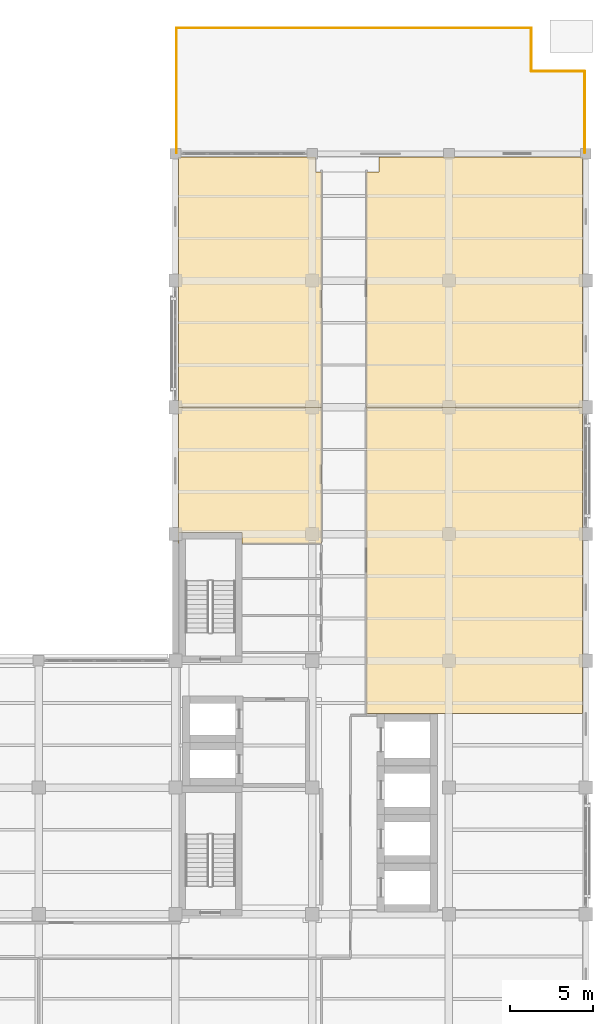
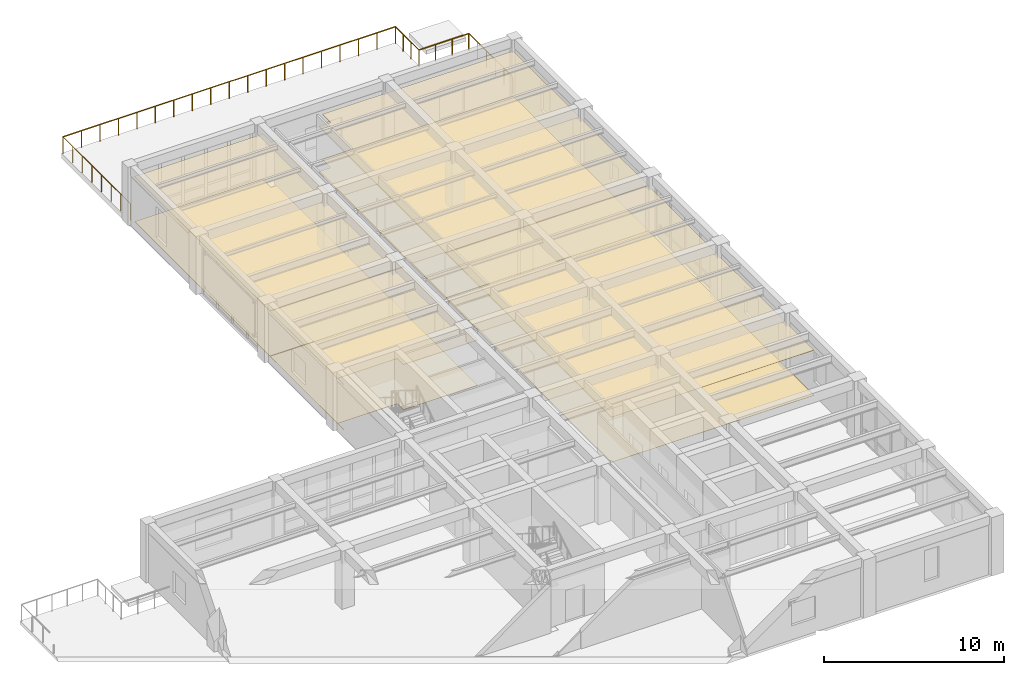
# One storey, part 14 of 14: 8 coverings, 5 railings.
"""IFC4 building model written with IfcOpenShell, lengths in metres."""

from ifc_helpers import new_model, si_unit, direction, frame, origin, origin_2d, place, context, subcontext, project, spatial, polyline, circle, outline, extrude, material, layer, layer_set, type_object, element, save


model = new_model("IFC4")

# Units and contexts
model_context = context("Model", 3, precision=1e-05, world=origin(), true_north=direction((0.0, 1.0)))
body_context = subcontext(model_context, "Body", "Model", "MODEL_VIEW")
ifc_project = project(units=[si_unit("LENGTHUNIT", "METRE"), si_unit("AREAUNIT", "SQUARE_METRE"), si_unit("VOLUMEUNIT", "CUBIC_METRE"), si_unit("PLANEANGLEUNIT", "RADIAN"), si_unit("MASSUNIT", "GRAM", prefix="KILO")], contexts=[model_context])

# Site, building, storey
site_placement = place(None, origin())
site = spatial("IfcSite", under=ifc_project, at=site_placement, CompositionType="ELEMENT")
building_placement = place(site_placement, origin())
building = spatial("IfcBuilding", under=site, at=building_placement, Name="Qandaris Square Conservatory and Botanical Centre", CompositionType="ELEMENT")
storey_placement = place(building_placement, frame((0.0, 0.0, 36.60009765625)))
storey = spatial("IfcBuildingStorey", under=building, at=storey_placement, Name="L08", CompositionType="ELEMENT", Elevation=36.60009765625)

# Coverings
ifc_material_1 = material(Name="Honed Qatari Limestone", Category="masonry")
ifc_layer_1 = layer(ifc_material_1, 0.030029296875)
ifc_layer_set_1 = layer_set([ifc_layer_1], Name="Honed Qatari Limestone")
covering_type_1 = type_object("IfcCoveringType", Name="Honed Qatari Limestone Concourse Paving", PredefinedType="FLOORING", material=ifc_layer_set_1)
covering_1_placement = place(storey_placement, origin())
element("IfcCovering", 1, at=covering_1_placement, inside=storey, type_object=covering_type_1, Name="Rhizosphere Biology Collaborative Seminar Room Flooring", PredefinedType="FLOORING", context=body_context, shape_type="SweptSolid", body=[
    extrude(outline(polyline([(147.949951171875, 54.60009765625), (139.3798828125, 54.60009765625), (139.3798828125, 69.6201171875), (147.60009765625, 69.6201171875), (147.60009765625, 68.699951171875), (147.949951171875, 68.699951171875), (147.949951171875, 54.60009765625)])), origin(), (0.0, 0.0, 1.0), 0.02978515625),
])
covering_2_placement = place(storey_placement, origin())
element("IfcCovering", 2, at=covering_2_placement, inside=storey, type_object=covering_type_1, Name="Floor L08 Staff Write-Up Lounge Flooring", PredefinedType="FLOORING", context=body_context, shape_type="SweptSolid", body=[
    extrude(outline(polyline([(150.64990234375, 54.60009765625), (150.64990234375, 68.699951171875), (151.39990234375, 68.699951171875), (151.39990234375, 69.6201171875), (163.6201171875, 69.6201171875), (163.6201171875, 54.60009765625), (150.64990234375, 54.60009765625)])), origin(), (0.0, 0.0, 1.0), 0.02978515625),
])
ifc_material_2 = material(Name="Gypsum Plasterboard", Category="gypsum")
ifc_layer_2 = layer(ifc_material_2, 0.02490234375)
ifc_layer_set_2 = layer_set([ifc_layer_2], Name="Gypsum Plasterboard")
covering_type_2 = type_object("IfcCoveringType", Name="Perforated Acoustic Lab Ceiling Tile", PredefinedType="CEILING", material=ifc_layer_set_2)
covering_3_placement = place(storey_placement, frame((0.0, 0.0, 3.0498046875)))
element("IfcCovering", 3, at=covering_3_placement, inside=storey, type_object=covering_type_2, Name="Drought Proteomics Analytical Laboratory Ceiling", PredefinedType="CEILING", context=body_context, shape_type="SweptSolid", body=[
    extrude(outline(polyline([(150.64990234375, 54.60009765625), (163.6201171875, 54.60009765625), (163.6201171875, 36.25), (150.64990234375, 36.25), (150.64990234375, 54.60009765625)])), origin(), (0.0, 0.0, 1.0), 0.025146484375),
])
covering_4_placement = place(storey_placement, frame((0.0, 0.0, 3.0498046875)))
element("IfcCovering", 4, at=covering_4_placement, inside=storey, type_object=covering_type_2, Name="Date Palm Genomics Specimen Prep Room Ceiling", PredefinedType="CEILING", context=body_context, shape_type="SweptSolid", body=[
    extrude(outline(polyline([(147.949951171875, 46.419921875), (143.199951171875, 46.419921875), (143.199951171875, 47.10009765625), (139.39990234375, 47.10009765625), (139.39990234375, 46.419921875), (139.3798828125, 46.419921875), (139.3798828125, 54.60009765625), (147.949951171875, 54.60009765625), (147.949951171875, 46.419921875)])), origin(), (0.0, 0.0, 1.0), 0.025146484375),
])
ifc_material_3 = material(Name="Epoxy Resin Screed", Category="finish")
ifc_layer_3 = layer(ifc_material_3, 0.014892578125)
ifc_layer_set_3 = layer_set([ifc_layer_3], Name="Epoxy Resin Screed")
covering_type_3 = type_object("IfcCoveringType", Name="Seamless Epoxy Laboratory Flooring", PredefinedType="FLOORING", material=ifc_layer_set_3)
covering_5_placement = place(storey_placement, origin())
element("IfcCovering", 5, at=covering_5_placement, inside=storey, type_object=covering_type_3, Name="Drought Proteomics Analytical Laboratory Flooring", PredefinedType="FLOORING", context=body_context, shape_type="SweptSolid", body=[
    extrude(outline(polyline([(150.64990234375, 54.60009765625), (163.6201171875, 54.60009765625), (163.6201171875, 36.25), (150.64990234375, 36.25), (150.64990234375, 54.60009765625)])), origin(), (0.0, 0.0, 1.0), 0.014892578125),
])
covering_6_placement = place(storey_placement, origin())
element("IfcCovering", 6, at=covering_6_placement, inside=storey, type_object=covering_type_3, Name="Date Palm Genomics Specimen Prep Room Flooring", PredefinedType="FLOORING", context=body_context, shape_type="SweptSolid", body=[
    extrude(outline(polyline([(147.949951171875, 46.419921875), (143.199951171875, 46.419921875), (143.199951171875, 47.10009765625), (139.39990234375, 47.10009765625), (139.39990234375, 46.419921875), (139.3798828125, 46.419921875), (139.3798828125, 54.60009765625), (147.949951171875, 54.60009765625), (147.949951171875, 46.419921875)])), origin(), (0.0, 0.0, 1.0), 0.014892578125),
])
ifc_material_4 = material(Name="Engineered Oak Timber", Category="wood")
ifc_layer_4 = layer(ifc_material_4, 0.0400390625)
ifc_layer_set_4 = layer_set([ifc_layer_4], Name="Engineered Oak Timber")
covering_type_4 = type_object("IfcCoveringType", Name="Slatted Oak Acoustic Gallery Ceiling", PredefinedType="CEILING", material=ifc_layer_set_4)
covering_7_placement = place(storey_placement, frame((0.0, 0.0, 3.0498046875)))
element("IfcCovering", 7, at=covering_7_placement, inside=storey, type_object=covering_type_4, Name="Rhizosphere Biology Collaborative Seminar Room Ceiling", PredefinedType="CEILING", context=body_context, shape_type="SweptSolid", body=[
    extrude(outline(polyline([(147.949951171875, 54.60009765625), (139.3798828125, 54.60009765625), (139.3798828125, 69.6201171875), (147.60009765625, 69.6201171875), (147.60009765625, 68.699951171875), (147.949951171875, 68.699951171875), (147.949951171875, 54.60009765625)])), origin(), (0.0, 0.0, 1.0), 0.0400390625),
])
covering_8_placement = place(storey_placement, frame((0.0, 0.0, 3.0498046875)))
element("IfcCovering", 8, at=covering_8_placement, inside=storey, type_object=covering_type_4, Name="Floor L08 Staff Write-Up Lounge Ceiling", PredefinedType="CEILING", context=body_context, shape_type="SweptSolid", body=[
    extrude(outline(polyline([(150.64990234375, 54.60009765625), (150.64990234375, 68.699951171875), (151.39990234375, 68.699951171875), (151.39990234375, 69.6201171875), (163.6201171875, 69.6201171875), (163.6201171875, 54.60009765625), (150.64990234375, 54.60009765625)])), origin(), (0.0, 0.0, 1.0), 0.0400390625),
])

# Railings
ifc_material_5 = material(Name="Weathering Bronze Alloy", Category="metal")
railing_type = type_object("IfcRailingType", Name="Terrace Perimeter Prairie Guardrail 1150mm", PredefinedType="GUARDRAIL", material=ifc_material_5)
railing_1_placement = place(storey_placement, frame((139.260009765625, 69.860107421875, 0.0)))
element("IfcRailing", 9, at=railing_1_placement, inside=storey, type_object=railing_type, Name="Arid Flora Setback Terrace L08 Guardrail 2", PredefinedType="GUARDRAIL", context=body_context, shape_type="SweptSolid", body=[
    extrude(circle(Radius=0.02392578125, at=origin_2d()), frame((0.0, 0.0, 1.1259765625), z_axis=(0.0, 1.0, 0.0), x_axis=(-1.0, 0.0, 0.0)), (0.0, 0.0, 1.0), 7.47998046875),
    extrude(circle(Radius=0.02099609375, at=origin_2d()), origin(), (0.0, 0.0, 1.0), 1.101806640625),
    extrude(circle(Radius=0.02099609375, at=origin_2d()), frame((0.0, 1.068603515625, 0.0)), (0.0, 0.0, 1.0), 1.101806640625),
    extrude(circle(Radius=0.02099609375, at=origin_2d()), frame((0.0, 2.13720703125, 0.0)), (0.0, 0.0, 1.0), 1.101806640625),
    extrude(circle(Radius=0.02099609375, at=origin_2d()), frame((0.0, 3.205810546875, 0.0)), (0.0, 0.0, 1.0), 1.101806640625),
    extrude(circle(Radius=0.02099609375, at=origin_2d()), frame((0.0, 4.274169921875, 0.0)), (0.0, 0.0, 1.0), 1.101806640625),
    extrude(circle(Radius=0.02099609375, at=origin_2d()), frame((0.0, 5.3427734375, 0.0)), (0.0, 0.0, 1.0), 1.101806640625),
    extrude(circle(Radius=0.02099609375, at=origin_2d()), frame((0.0, 6.411376953125, 0.0)), (0.0, 0.0, 1.0), 1.101806640625),
    extrude(circle(Radius=0.02099609375, at=origin_2d()), frame((0.0, 7.47998046875, 0.0)), (0.0, 0.0, 1.0), 1.101806640625),
])
railing_2_placement = place(storey_placement, frame((139.260009765625, 77.340087890625, 0.0)))
element("IfcRailing", 10, at=railing_2_placement, inside=storey, type_object=railing_type, Name="Arid Flora Setback Terrace L08 Guardrail 3", PredefinedType="GUARDRAIL", context=body_context, shape_type="SweptSolid", body=[
    extrude(circle(Radius=0.02392578125, at=origin_2d()), frame((0.0, 0.0, 1.1259765625), z_axis=(1.0, 0.0, 0.0), x_axis=(0.0, 1.0, 0.0)), (0.0, 0.0, 1.0), 21.280029296875),
    extrude(circle(Radius=0.02099609375, at=origin_2d()), origin(), (0.0, 0.0, 1.0), 1.101806640625),
    extrude(circle(Radius=0.02099609375, at=origin_2d()), frame((1.18212890625, 0.0, 0.0)), (0.0, 0.0, 1.0), 1.101806640625),
    extrude(circle(Radius=0.02099609375, at=origin_2d()), frame((2.364501953125, 0.0, 0.0)), (0.0, 0.0, 1.0), 1.101806640625),
    extrude(circle(Radius=0.02099609375, at=origin_2d()), frame((3.546630859375, 0.0, 0.0)), (0.0, 0.0, 1.0), 1.101806640625),
    extrude(circle(Radius=0.02099609375, at=origin_2d()), frame((4.72900390625, 0.0, 0.0)), (0.0, 0.0, 1.0), 1.101806640625),
    extrude(circle(Radius=0.02099609375, at=origin_2d()), frame((5.9111328125, 0.0, 0.0)), (0.0, 0.0, 1.0), 1.101806640625),
    extrude(circle(Radius=0.02099609375, at=origin_2d()), frame((7.09326171875, 0.0, 0.0)), (0.0, 0.0, 1.0), 1.101806640625),
    extrude(circle(Radius=0.02099609375, at=origin_2d()), frame((8.275634765625, 0.0, 0.0)), (0.0, 0.0, 1.0), 1.101806640625),
    extrude(circle(Radius=0.02099609375, at=origin_2d()), frame((9.457763671875, 0.0, 0.0)), (0.0, 0.0, 1.0), 1.101806640625),
    extrude(circle(Radius=0.02099609375, at=origin_2d()), frame((10.64013671875, 0.0, 0.0)), (0.0, 0.0, 1.0), 1.101806640625),
    extrude(circle(Radius=0.02099609375, at=origin_2d()), frame((11.822265625, 0.0, 0.0)), (0.0, 0.0, 1.0), 1.101806640625),
    extrude(circle(Radius=0.02099609375, at=origin_2d()), frame((13.00439453125, 0.0, 0.0)), (0.0, 0.0, 1.0), 1.101806640625),
    extrude(circle(Radius=0.02099609375, at=origin_2d()), frame((14.186767578125, 0.0, 0.0)), (0.0, 0.0, 1.0), 1.101806640625),
    extrude(circle(Radius=0.02099609375, at=origin_2d()), frame((15.368896484375, 0.0, 0.0)), (0.0, 0.0, 1.0), 1.101806640625),
    extrude(circle(Radius=0.02099609375, at=origin_2d()), frame((16.551025390625, 0.0, 0.0)), (0.0, 0.0, 1.0), 1.101806640625),
    extrude(circle(Radius=0.02099609375, at=origin_2d()), frame((17.7333984375, 0.0, 0.0)), (0.0, 0.0, 1.0), 1.101806640625),
    extrude(circle(Radius=0.02099609375, at=origin_2d()), frame((18.91552734375, 0.0, 0.0)), (0.0, 0.0, 1.0), 1.101806640625),
    extrude(circle(Radius=0.02099609375, at=origin_2d()), frame((20.097900390625, 0.0, 0.0)), (0.0, 0.0, 1.0), 1.101806640625),
    extrude(circle(Radius=0.02099609375, at=origin_2d()), frame((21.280029296875, 0.0, 0.0)), (0.0, 0.0, 1.0), 1.101806640625),
])
railing_3_placement = place(storey_placement, frame((160.5400390625, 77.340087890625, 0.0)))
element("IfcRailing", 11, at=railing_3_placement, inside=storey, type_object=railing_type, Name="Arid Flora Setback Terrace L08 Guardrail 4", PredefinedType="GUARDRAIL", context=body_context, shape_type="SweptSolid", body=[
    extrude(circle(Radius=0.02392578125, at=origin_2d()), frame((0.0, 0.0, 1.1259765625), z_axis=(0.0, -1.0, 0.0), x_axis=(1.0, 0.0, 0.0)), (0.0, 0.0, 1.0), 2.60009765625),
    extrude(circle(Radius=0.02099609375, at=origin_2d()), origin(), (0.0, 0.0, 1.0), 1.101806640625),
    extrude(circle(Radius=0.02099609375, at=origin_2d()), frame((0.0, -0.86669921875, 0.0)), (0.0, 0.0, 1.0), 1.101806640625),
    extrude(circle(Radius=0.02099609375, at=origin_2d()), frame((0.0, -1.7333984375, 0.0)), (0.0, 0.0, 1.0), 1.101806640625),
    extrude(circle(Radius=0.02099609375, at=origin_2d()), frame((0.0, -2.60009765625, 0.0)), (0.0, 0.0, 1.0), 1.101806640625),
])
railing_4_placement = place(storey_placement, frame((160.5400390625, 74.739990234375, 0.0)))
element("IfcRailing", 12, at=railing_4_placement, inside=storey, type_object=railing_type, Name="Arid Flora Setback Terrace L08 Guardrail 5", PredefinedType="GUARDRAIL", context=body_context, shape_type="SweptSolid", body=[
    extrude(circle(Radius=0.02392578125, at=origin_2d()), frame((0.0, 0.0, 1.1259765625), z_axis=(1.0, 0.0, 0.0), x_axis=(0.0, 1.0, 0.0)), (0.0, 0.0, 1.0), 3.199951171875),
    extrude(circle(Radius=0.02099609375, at=origin_2d()), origin(), (0.0, 0.0, 1.0), 1.101806640625),
    extrude(circle(Radius=0.02099609375, at=origin_2d()), frame((1.066650390625, 0.0, 0.0)), (0.0, 0.0, 1.0), 1.101806640625),
    extrude(circle(Radius=0.02099609375, at=origin_2d()), frame((2.13330078125, 0.0, 0.0)), (0.0, 0.0, 1.0), 1.101806640625),
    extrude(circle(Radius=0.02099609375, at=origin_2d()), frame((3.199951171875, 0.0, 0.0)), (0.0, 0.0, 1.0), 1.101806640625),
])
railing_5_placement = place(storey_placement, frame((163.739990234375, 74.739990234375, 0.0)))
element("IfcRailing", 13, at=railing_5_placement, inside=storey, type_object=railing_type, Name="Arid Flora Setback Terrace L08 Guardrail 6", PredefinedType="GUARDRAIL", context=body_context, shape_type="SweptSolid", body=[
    extrude(circle(Radius=0.02392578125, at=origin_2d()), frame((0.0, 0.0, 1.1259765625), z_axis=(0.0, -1.0, 0.0), x_axis=(1.0, 0.0, 0.0)), (0.0, 0.0, 1.0), 4.8798828125),
    extrude(circle(Radius=0.02099609375, at=origin_2d()), origin(), (0.0, 0.0, 1.0), 1.101806640625),
    extrude(circle(Radius=0.02099609375, at=origin_2d()), frame((0.0, -0.97607421875, 0.0)), (0.0, 0.0, 1.0), 1.101806640625),
    extrude(circle(Radius=0.02099609375, at=origin_2d()), frame((0.0, -1.951904296875, 0.0)), (0.0, 0.0, 1.0), 1.101806640625),
    extrude(circle(Radius=0.02099609375, at=origin_2d()), frame((0.0, -2.927978515625, 0.0)), (0.0, 0.0, 1.0), 1.101806640625),
    extrude(circle(Radius=0.02099609375, at=origin_2d()), frame((0.0, -3.90380859375, 0.0)), (0.0, 0.0, 1.0), 1.101806640625),
    extrude(circle(Radius=0.02099609375, at=origin_2d()), frame((0.0, -4.8798828125, 0.0)), (0.0, 0.0, 1.0), 1.101806640625),
])

save(model, "model.ifc")
